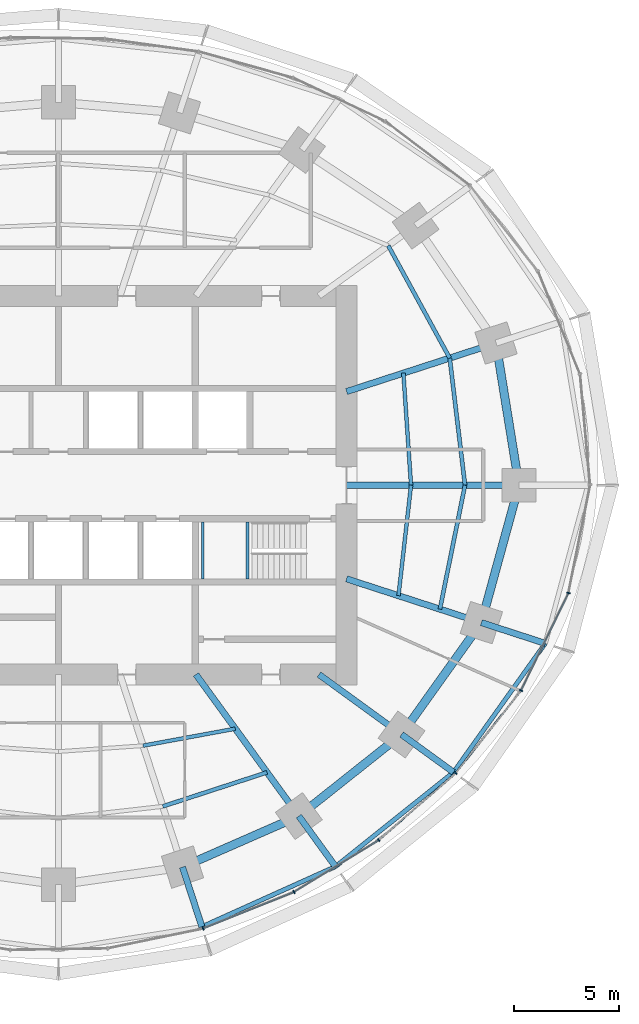
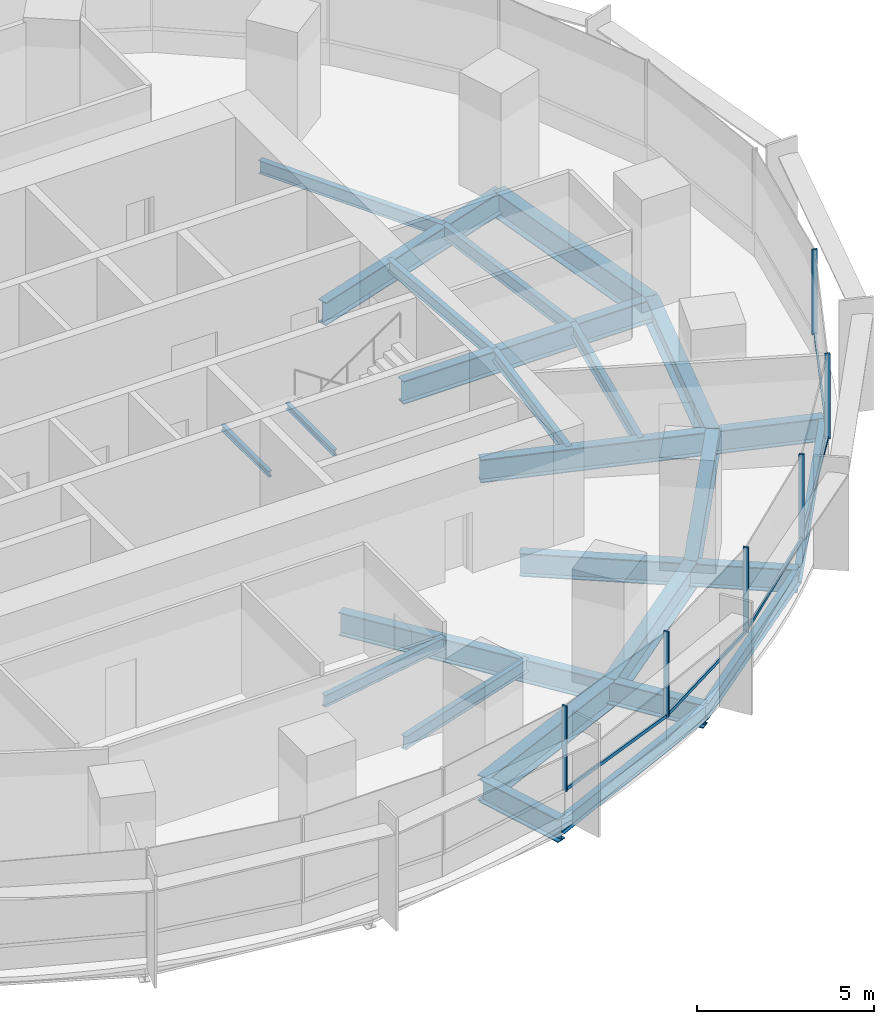
# One storey, part 5 of 14: 26 beams, 11 members, 2 elements without a shape of their own.
"""IFC4 building model written with IfcOpenShell, lengths in metres."""

from ifc_helpers import new_model, si_unit, direction, frame, origin, origin_2d, place, context, subcontext, project, spatial, rectangle, i_section, extrude, material, material_profile, profile_set, type_object, element, aggregate, save


model = new_model("IFC4")

# Units and contexts
model_context = context("Model", 3, precision=1e-05, world=origin(), true_north=direction((0.0, 1.0)))
body_context = subcontext(model_context, "Body", "Model", "MODEL_VIEW")
ifc_project = project(units=[si_unit("LENGTHUNIT", "METRE"), si_unit("AREAUNIT", "SQUARE_METRE"), si_unit("VOLUMEUNIT", "CUBIC_METRE"), si_unit("PLANEANGLEUNIT", "RADIAN"), si_unit("MASSUNIT", "GRAM", prefix="KILO")], contexts=[model_context])

# Site, building, storey
site_placement = place(None, origin())
site = spatial("IfcSite", under=ifc_project, at=site_placement, CompositionType="ELEMENT")
building_placement = place(site_placement, origin())
building = spatial("IfcBuilding", under=site, at=building_placement, Name="Marramba Exchange Tower", CompositionType="ELEMENT")
storey_placement = place(building_placement, frame((0.0, 0.0, 158.699951171875)))
storey = spatial("IfcBuildingStorey", under=building, at=storey_placement, Name="L38", CompositionType="ELEMENT", Elevation=158.699951171875)

# Beams
ifc_material_1 = material(Name="Steel AS/NZS 3679.2 grade 300", Category="steel")
ifc_material_profile_1 = material_profile(ifc_material_1, i_section(OverallWidth=0.300048828125, OverallDepth=0.800048828125, WebThickness=0.013916015625, FlangeThickness=0.031982421875, at=origin_2d()), Name="800WB192")
ifc_profile_set_1 = profile_set([ifc_material_profile_1], Name="Steel AS/NZS 3679.2 grade 300")
beam_type_1 = type_object("IfcBeamType", Name="Cantilever girder 800WB192", PredefinedType="BEAM", material=ifc_profile_set_1)
beam_1_placement = place(storey_placement, frame((5.899658203125, -18.156982421875, -0.56005859375), z_axis=(0.30903246226, -0.951051490336, 0.0), x_axis=(0.951051490336, 0.30903246226, 0.0)))
element("IfcBeam", 1, at=beam_1_placement, inside=storey, type_object=beam_type_1, Name="Cantilever girder L38 TC17", PredefinedType="BEAM", context=body_context, shape_type="SweptSolid", body=[
    extrude(i_section(OverallWidth=0.300048828125, OverallDepth=0.800048828125, WebThickness=0.013916015625, FlangeThickness=0.031982421875, at=origin_2d()), origin(), (0.0, 0.0, 1.0), 2.986328125),
])
beam_2_placement = place(storey_placement, frame((11.430419921875, -15.732666015625, -0.56005859375), z_axis=(0.587794986183, -0.8090099222, 0.0), x_axis=(0.8090099222, 0.587794986183, 0.0)))
element("IfcBeam", 2, at=beam_2_placement, inside=storey, type_object=beam_type_1, Name="Cantilever girder L38 TC18", PredefinedType="BEAM", context=body_context, shape_type="SweptSolid", body=[
    extrude(i_section(OverallWidth=0.300048828125, OverallDepth=0.800048828125, WebThickness=0.013916015625, FlangeThickness=0.031982421875, at=origin_2d()), origin(), (0.0, 0.0, 1.0), 2.9677734375),
])
beam_3_placement = place(storey_placement, frame((16.3154296875, -11.853759765625, -0.56005859375), z_axis=(0.809026231081, -0.587772538847, 0.0), x_axis=(0.587772538847, 0.809026231081, 0.0)))
element("IfcBeam", 3, at=beam_3_placement, inside=storey, type_object=beam_type_1, Name="Cantilever girder L38 TC19", PredefinedType="BEAM", context=body_context, shape_type="SweptSolid", body=[
    extrude(i_section(OverallWidth=0.300048828125, OverallDepth=0.800048828125, WebThickness=0.013916015625, FlangeThickness=0.031982421875, at=origin_2d()), origin(), (0.0, 0.0, 1.0), 3.055419921875),
])
beam_4_placement = place(storey_placement, frame((20.109375, -6.533935546875, -0.56005859375), z_axis=(0.951054839063, -0.309022156318, 0.0), x_axis=(0.309022156318, 0.951054839063, 0.0)))
element("IfcBeam", 4, at=beam_4_placement, inside=storey, type_object=beam_type_1, Name="Cantilever girder L38 TC20", PredefinedType="BEAM", context=body_context, shape_type="SweptSolid", body=[
    extrude(i_section(OverallWidth=0.300048828125, OverallDepth=0.800048828125, WebThickness=0.013916015625, FlangeThickness=0.031982421875, at=origin_2d()), origin(), (0.0, 0.0, 1.0), 3.19580078125),
])
ifc_material_2 = material(Name="Steel AS/NZS 3679.1 grade 300", Category="steel")
ifc_material_profile_2 = material_profile(ifc_material_2, i_section(OverallWidth=0.177978515625, OverallDepth=0.406005859375, WebThickness=0.0078125, FlangeThickness=0.0126953125, FilletRadius=0.011474609375, at=origin_2d()), Name="410UB59.7")
ifc_profile_set_2 = profile_set([ifc_material_profile_2], Name="Steel AS/NZS 3679.1 grade 300")
beam_type_2 = type_object("IfcBeamType", Name="Floor joist 410UB59.7", PredefinedType="JOIST", material=ifc_profile_set_2)
beam_5_placement = place(storey_placement, frame((16.7666015625, 0.0, -0.363037109375), z_axis=(-0.068096259546, 0.99767875563, 0.0), x_axis=(-0.99767875563, -0.068096259546, 0.0)))
element("IfcBeam", 5, at=beam_5_placement, inside=storey, type_object=beam_type_2, Name="Joist L38 bay 01 row 1", PredefinedType="JOIST", context=body_context, shape_type="SweptSolid", body=[
    extrude(i_section(OverallWidth=0.177978515625, OverallDepth=0.406005859375, WebThickness=0.0078125, FlangeThickness=0.0126953125, FilletRadius=0.011474609375, at=origin_2d()), origin(), (0.0, 0.0, 1.0), 5.342041015625),
])
beam_6_placement = place(storey_placement, frame((4.0244140625, -12.3857421875, -0.363037109375), z_axis=(0.983455754421, 0.181148500119, 0.0), x_axis=(-0.181148500119, 0.983455754421, 0.0)))
element("IfcBeam", 6, at=beam_6_placement, inside=storey, type_object=beam_type_2, Name="Joist L38 bay 17 row 1", PredefinedType="JOIST", context=body_context, shape_type="SweptSolid", body=[
    extrude(i_section(OverallWidth=0.177978515625, OverallDepth=0.406005859375, WebThickness=0.0078125, FlangeThickness=0.0126953125, FilletRadius=0.011474609375, at=origin_2d()), origin(), (0.0, 0.0, 1.0), 4.4609375),
])
beam_7_placement = place(storey_placement, frame((16.169677734375, -5.25390625, -0.363037109375), z_axis=(0.112888968594, 0.993607609054, 0.0), x_axis=(-0.993607609054, 0.112888968594, 0.0)))
element("IfcBeam", 7, at=beam_7_placement, inside=storey, type_object=beam_type_2, Name="Joist L38 bay 20 row 1", PredefinedType="JOIST", context=body_context, shape_type="SweptSolid", body=[
    extrude(i_section(OverallWidth=0.177978515625, OverallDepth=0.406005859375, WebThickness=0.0078125, FlangeThickness=0.0126953125, FilletRadius=0.011474609375, at=origin_2d()), origin(), (0.0, 0.0, 1.0), 5.28759765625),
])
ifc_material_profile_3 = material_profile(ifc_material_2, i_section(OverallWidth=0.18994140625, OverallDepth=0.4541015625, WebThickness=0.008544921875, FlangeThickness=0.0126953125, FilletRadius=0.011474609375, at=origin_2d()), Name="460UB67.1")
ifc_profile_set_3 = profile_set([ifc_material_profile_3], Name="Steel AS/NZS 3679.1 grade 300")
beam_type_3 = type_object("IfcBeamType", Name="Floor joist 460UB67.1", PredefinedType="JOIST", material=ifc_profile_set_3)
beam_8_placement = place(storey_placement, frame((19.333251953125, 0.0, -0.386962890625), z_axis=(-0.119523078538, 0.992831422597, 0.0), x_axis=(-0.992831422597, -0.119523078538, 0.0)))
element("IfcBeam", 8, at=beam_8_placement, inside=storey, type_object=beam_type_3, Name="Joist L38 bay 01 row 2", PredefinedType="JOIST", context=body_context, shape_type="SweptSolid", body=[
    extrude(i_section(OverallWidth=0.18994140625, OverallDepth=0.4541015625, WebThickness=0.008544921875, FlangeThickness=0.0126953125, FilletRadius=0.011474609375, at=origin_2d()), origin(), (0.0, 0.0, 1.0), 6.089111328125),
])
beam_9_placement = place(storey_placement, frame((18.60546875, 6.04541015625, -0.386962890625), z_axis=(-0.479584443791, 0.877495732909, 0.0), x_axis=(-0.877495732909, -0.479584443791, 0.0)))
element("IfcBeam", 9, at=beam_9_placement, inside=storey, type_object=beam_type_3, Name="Joist L38 bay 02 row 2", PredefinedType="JOIST", context=body_context, shape_type="SweptSolid", body=[
    extrude(i_section(OverallWidth=0.18994140625, OverallDepth=0.4541015625, WebThickness=0.008544921875, FlangeThickness=0.0126953125, FilletRadius=0.011474609375, at=origin_2d()), origin(), (0.0, 0.0, 1.0), 6.094970703125),
])
beam_10_placement = place(storey_placement, frame((4.9619140625, -15.271484375, -0.386962890625), z_axis=(0.950764024931, 0.309915744834, 0.0), x_axis=(-0.309915744834, 0.950764024931, 0.0)))
element("IfcBeam", 10, at=beam_10_placement, inside=storey, type_object=beam_type_3, Name="Joist L38 bay 17 row 2", PredefinedType="JOIST", context=body_context, shape_type="SweptSolid", body=[
    extrude(i_section(OverallWidth=0.18994140625, OverallDepth=0.4541015625, WebThickness=0.008544921875, FlangeThickness=0.0126953125, FilletRadius=0.011474609375, at=origin_2d()), origin(), (0.0, 0.0, 1.0), 5.2158203125),
])
beam_11_placement = place(storey_placement, frame((18.1396484375, -5.893798828125, -0.386962890625), z_axis=(0.198489047047, 0.980103105904, 0.0), x_axis=(-0.980103105904, 0.198489047047, 0.0)))
element("IfcBeam", 11, at=beam_11_placement, inside=storey, type_object=beam_type_3, Name="Joist L38 bay 20 row 2", PredefinedType="JOIST", context=body_context, shape_type="SweptSolid", body=[
    extrude(i_section(OverallWidth=0.18994140625, OverallDepth=0.4541015625, WebThickness=0.008544921875, FlangeThickness=0.0126953125, FilletRadius=0.011474609375, at=origin_2d()), origin(), (0.0, 0.0, 1.0), 6.013427734375),
])

# Curtain wall, member
ifc_material_3 = material(Name="Aluminium framing, bronze anodised", Category="aluminium")
curtain_wall_type = type_object("IfcCurtainWallType", Name="Office ribbon curtain wall", PredefinedType="USERDEFINED", material=ifc_material_3)
curtain_wall_1_placement = place(storey_placement, origin())
curtain_wall_1 = element("IfcCurtainWall", 12, at=curtain_wall_1_placement, inside=storey, type_object=curtain_wall_type, Name="Curtain wall CW4 L38 F21-F25", ObjectType="RIBBON CURTAIN WALL", PredefinedType="USERDEFINED")
ifc_material_4 = material(Name="Aluminium mullion, bronze anodised", Category="aluminium")
ifc_material_profile_4 = material_profile(ifc_material_4, rectangle(XDim=0.159912109375, YDim=0.06005859375, at=origin_2d()), Name="CW4 mullion 60x160")
ifc_profile_set_4 = profile_set([ifc_material_profile_4], Name="Aluminium mullion, bronze anodised")
member_type_1 = type_object("IfcMemberType", Name="Office ribbon curtain wall mullion", PredefinedType="MULLION", material=ifc_profile_set_4)
member_1_placement = place(storey_placement, frame((6.881103515625, -21.0810546875, 0.800048828125), z_axis=(0.0, 0.0, 1.0), x_axis=(-0.372209067082, 0.928148916059, 0.0)))
member_1 = element("IfcMember", 13, at=member_1_placement, type_object=member_type_1, Name="CW4 mullion 1", PredefinedType="MULLION", context=body_context, shape_type="SweptSolid", body=[
    extrude(rectangle(XDim=0.159912109375, YDim=0.06005859375, at=origin_2d()), origin(), (0.0, 0.0, 1.0), 2.93994140625),
])

# Curtain wall, members
curtain_wall_2_placement = place(storey_placement, origin())
curtain_wall_2 = element("IfcCurtainWall", 14, at=curtain_wall_2_placement, inside=storey, type_object=curtain_wall_type, Name="Curtain wall CW4 L38 F26-F30", ObjectType="RIBBON CURTAIN WALL", PredefinedType="USERDEFINED")
member_2_placement = place(storey_placement, frame((11.2021484375, -19.3427734375, 0.800048828125), z_axis=(0.0, 0.0, 1.0), x_axis=(-0.521732535664, 0.853109114492, 0.0)))
member_2 = element("IfcMember", 15, at=member_2_placement, type_object=member_type_1, Name="CW4 mullion 1", PredefinedType="MULLION", context=body_context, shape_type="SweptSolid", body=[
    extrude(rectangle(XDim=0.159912109375, YDim=0.06005859375, at=origin_2d()), origin(), (0.0, 0.0, 1.0), 2.93994140625),
])
member_3_placement = place(storey_placement, frame((15.232177734375, -16.872314453125, 0.800048828125), z_axis=(0.0, 0.0, 1.0), x_axis=(-0.656431647438, 0.754385506384, 0.0)))
member_3 = element("IfcMember", 16, at=member_3_placement, type_object=member_type_1, Name="CW4 mullion 1", PredefinedType="MULLION", context=body_context, shape_type="SweptSolid", body=[
    extrude(rectangle(XDim=0.159912109375, YDim=0.06005859375, at=origin_2d()), origin(), (0.0, 0.0, 1.0), 2.93994140625),
])
member_4_placement = place(storey_placement, frame((18.886962890625, -13.68505859375, 0.800048828125), z_axis=(0.0, 0.0, 1.0), x_axis=(-0.783170139469, 0.621807472329, 0.0)))
member_4 = element("IfcMember", 17, at=member_4_placement, type_object=member_type_1, Name="CW4 mullion 1", PredefinedType="MULLION", context=body_context, shape_type="SweptSolid", body=[
    extrude(rectangle(XDim=0.159912109375, YDim=0.06005859375, at=origin_2d()), origin(), (0.0, 0.0, 1.0), 2.93994140625),
])
member_5_placement = place(storey_placement, frame((21.994873046875, -9.760009765625, 0.800048828125), z_axis=(0.0, 0.0, 1.0), x_axis=(-0.89844486976, 0.439086342308, 0.0)))
member_5 = element("IfcMember", 18, at=member_5_placement, type_object=member_type_1, Name="CW4 mullion 1", PredefinedType="MULLION", context=body_context, shape_type="SweptSolid", body=[
    extrude(rectangle(XDim=0.159912109375, YDim=0.06005859375, at=origin_2d()), origin(), (0.0, 0.0, 1.0), 2.93994140625),
])
member_6_placement = place(storey_placement, frame((24.252197265625, -5.124267578125, 0.800048828125), z_axis=(0.0, 0.0, 1.0), x_axis=(-0.980393739376, 0.197048511267, 0.0)))
member_6 = element("IfcMember", 19, at=member_6_placement, type_object=member_type_1, Name="CW4 mullion 1", PredefinedType="MULLION", context=body_context, shape_type="SweptSolid", body=[
    extrude(rectangle(XDim=0.159912109375, YDim=0.06005859375, at=origin_2d()), origin(), (0.0, 0.0, 1.0), 2.93994140625),
])

# Member
ifc_material_5 = material(Name="Aluminium transom, bronze anodised", Category="aluminium")
ifc_material_profile_5 = material_profile(ifc_material_5, rectangle(XDim=0.06005859375, YDim=0.1201171875, at=origin_2d()), Name="CW4 transom 60x120")
ifc_profile_set_5 = profile_set([ifc_material_profile_5], Name="Aluminium transom, bronze anodised")
member_type_2 = type_object("IfcMemberType", Name="Office ribbon curtain wall transom", PredefinedType="USERDEFINED", material=ifc_profile_set_5)
member_7_placement = place(storey_placement, frame((6.908935546875, -21.06982421875, 0.830078125), z_axis=(0.928146753748, 0.372214459026, 0.0), x_axis=(-0.372214459026, 0.928146753748, 0.0)))
member_7 = element("IfcMember", 20, at=member_7_placement, type_object=member_type_2, Name="CW4 sill transom", ObjectType="TRANSOM", PredefinedType="USERDEFINED", context=body_context, shape_type="SweptSolid", body=[
    extrude(rectangle(XDim=0.06005859375, YDim=0.1201171875, at=origin_2d()), origin(), (0.0, 0.0, 1.0), 4.597900390625),
])

aggregate(curtain_wall_1, [member_1, member_7])

member_8_placement = place(storey_placement, frame((11.227783203125, -19.3271484375, 0.830078125), z_axis=(0.853124051379, 0.52170811088, 0.0), x_axis=(-0.52170811088, 0.853124051379, 0.0)))
member_8 = element("IfcMember", 21, at=member_8_placement, type_object=member_type_2, Name="CW4 sill transom", ObjectType="TRANSOM", PredefinedType="USERDEFINED", context=body_context, shape_type="SweptSolid", body=[
    extrude(rectangle(XDim=0.06005859375, YDim=0.1201171875, at=origin_2d()), origin(), (0.0, 0.0, 1.0), 4.66748046875),
])

member_9_placement = place(storey_placement, frame((15.2548828125, -16.8525390625, 0.830078125), z_axis=(0.754392594189, 0.65642350189, 0.0), x_axis=(-0.65642350189, 0.754392594189, 0.0)))
member_9 = element("IfcMember", 22, at=member_9_placement, type_object=member_type_2, Name="CW4 sill transom", ObjectType="TRANSOM", PredefinedType="USERDEFINED", context=body_context, shape_type="SweptSolid", body=[
    extrude(rectangle(XDim=0.06005859375, YDim=0.1201171875, at=origin_2d()), origin(), (0.0, 0.0, 1.0), 4.78955078125),
])

member_10_placement = place(storey_placement, frame((18.905517578125, -13.66162109375, 0.830078125), z_axis=(0.621777997945, 0.783193540111, 0.0), x_axis=(-0.783193540111, 0.621777997945, 0.0)))
member_10 = element("IfcMember", 23, at=member_10_placement, type_object=member_type_2, Name="CW4 sill transom", ObjectType="TRANSOM", PredefinedType="USERDEFINED", context=body_context, shape_type="SweptSolid", body=[
    extrude(rectangle(XDim=0.06005859375, YDim=0.1201171875, at=origin_2d()), origin(), (0.0, 0.0, 1.0), 4.947265625),
])

member_11_placement = place(storey_placement, frame((22.008056640625, -9.73291015625, 0.830078125), z_axis=(0.439090714557, 0.898442732949, 0.0), x_axis=(-0.898442732949, 0.439090714557, 0.0)))
member_11 = element("IfcMember", 24, at=member_11_placement, type_object=member_type_2, Name="CW4 sill transom", ObjectType="TRANSOM", PredefinedType="USERDEFINED", context=body_context, shape_type="SweptSolid", body=[
    extrude(rectangle(XDim=0.06005859375, YDim=0.1201171875, at=origin_2d()), origin(), (0.0, 0.0, 1.0), 5.096923828125),
])

aggregate(curtain_wall_2, [member_2, member_8, member_3, member_9, member_4, member_10, member_5, member_11, member_6])

# Beams
ifc_material_profile_6 = material_profile(ifc_material_1, i_section(OverallWidth=0.300048828125, OverallDepth=0.800048828125, WebThickness=0.013916015625, FlangeThickness=0.031982421875, at=origin_2d()), Name="800WB192")
ifc_profile_set_6 = profile_set([ifc_material_profile_6], Name="Steel AS/NZS 3679.2 grade 300")
beam_type_4 = type_object("IfcBeamType", Name="Radial girder 800WB192", PredefinedType="BEAM", material=ifc_profile_set_6)
beam_12_placement = place(storey_placement, frame((13.699951171875, 0.0, -0.56005859375), z_axis=(1.0, 0.0, 0.0), x_axis=(0.0, 1.0, 0.0)))
element("IfcBeam", 25, at=beam_12_placement, inside=storey, type_object=beam_type_4, Name="Radial girder L38 TC01", PredefinedType="BEAM", context=body_context, shape_type="SweptSolid", body=[
    extrude(i_section(OverallWidth=0.300048828125, OverallDepth=0.800048828125, WebThickness=0.013916015625, FlangeThickness=0.031982421875, at=origin_2d()), origin(), (0.0, 0.0, 1.0), 8.199951171875),
])
beam_13_placement = place(storey_placement, frame((13.699951171875, 4.451416015625, -0.56005859375), z_axis=(0.951059990189, 0.309006302624, 0.0), x_axis=(-0.309006302624, 0.951059990189, 0.0)))
element("IfcBeam", 26, at=beam_13_placement, inside=storey, type_object=beam_type_4, Name="Radial girder L38 TC02", PredefinedType="BEAM", context=body_context, shape_type="SweptSolid", body=[
    extrude(i_section(OverallWidth=0.300048828125, OverallDepth=0.800048828125, WebThickness=0.013916015625, FlangeThickness=0.031982421875, at=origin_2d()), origin(), (0.0, 0.0, 1.0), 7.47412109375),
])
beam_14_placement = place(storey_placement, frame((6.538818359375, -9.0, -0.56005859375), z_axis=(0.587787877172, -0.809015087282, 0.0), x_axis=(0.809015087282, 0.587787877172, 0.0)))
element("IfcBeam", 27, at=beam_14_placement, inside=storey, type_object=beam_type_4, Name="Radial girder L38 TC18", PredefinedType="BEAM", context=body_context, shape_type="SweptSolid", body=[
    extrude(i_section(OverallWidth=0.300048828125, OverallDepth=0.800048828125, WebThickness=0.013916015625, FlangeThickness=0.031982421875, at=origin_2d()), origin(), (0.0, 0.0, 1.0), 8.322021484375),
])
beam_15_placement = place(storey_placement, frame((12.387451171875, -9.0, -0.56005859375), z_axis=(0.809025189606, -0.58777397236, 0.0), x_axis=(0.58777397236, 0.809025189606, 0.0)))
element("IfcBeam", 28, at=beam_15_placement, inside=storey, type_object=beam_type_4, Name="Radial girder L38 TC19", PredefinedType="BEAM", context=body_context, shape_type="SweptSolid", body=[
    extrude(i_section(OverallWidth=0.300048828125, OverallDepth=0.800048828125, WebThickness=0.013916015625, FlangeThickness=0.031982421875, at=origin_2d()), origin(), (0.0, 0.0, 1.0), 4.855224609375),
])
beam_16_placement = place(storey_placement, frame((13.699951171875, -4.451416015625, -0.56005859375), z_axis=(0.951057759669, -0.309013167637, 0.0), x_axis=(0.309013167637, 0.951057759669, 0.0)))
element("IfcBeam", 29, at=beam_16_placement, inside=storey, type_object=beam_type_4, Name="Radial girder L38 TC20", PredefinedType="BEAM", context=body_context, shape_type="SweptSolid", body=[
    extrude(i_section(OverallWidth=0.300048828125, OverallDepth=0.800048828125, WebThickness=0.013916015625, FlangeThickness=0.031982421875, at=origin_2d()), origin(), (0.0, 0.0, 1.0), 6.7392578125),
])
ifc_material_profile_7 = material_profile(ifc_material_1, i_section(OverallWidth=0.39990234375, OverallDepth=0.89990234375, WebThickness=0.01611328125, FlangeThickness=0.031982421875, at=origin_2d()), Name="900WB282")
ifc_profile_set_7 = profile_set([ifc_material_profile_7], Name="Steel AS/NZS 3679.2 grade 300")
beam_type_5 = type_object("IfcBeamType", Name="Ring beam 900WB282", PredefinedType="SPANDREL", material=ifc_profile_set_7)
beam_17_placement = place(storey_placement, frame((21.89990234375, 0.0, -0.60986328125), z_axis=(-0.159384865399, 0.987216523708, 0.0), x_axis=(-0.987216523708, -0.159384865399, 0.0)))
element("IfcBeam", 30, at=beam_17_placement, inside=storey, type_object=beam_type_5, Name="Ring beam L38 TC01-TC02", PredefinedType="SPANDREL", context=body_context, shape_type="SweptSolid", body=[
    extrude(i_section(OverallWidth=0.39990234375, OverallDepth=0.89990234375, WebThickness=0.01611328125, FlangeThickness=0.031982421875, at=origin_2d()), origin(), (0.0, 0.0, 1.0), 6.8486328125),
])
beam_18_placement = place(storey_placement, frame((5.899658203125, -18.156982421875, -0.60986328125), z_axis=(0.915876892158, 0.4014592363, 0.0), x_axis=(-0.4014592363, 0.915876892158, 0.0)))
element("IfcBeam", 31, at=beam_18_placement, inside=storey, type_object=beam_type_5, Name="Ring beam L38 TC17-TC18", PredefinedType="SPANDREL", context=body_context, shape_type="SweptSolid", body=[
    extrude(i_section(OverallWidth=0.39990234375, OverallDepth=0.89990234375, WebThickness=0.01611328125, FlangeThickness=0.031982421875, at=origin_2d()), origin(), (0.0, 0.0, 1.0), 6.038818359375),
])
beam_19_placement = place(storey_placement, frame((11.430419921875, -15.732666015625, -0.60986328125), z_axis=(0.783139438128, 0.621846138887, 0.0), x_axis=(-0.621846138887, 0.783139438128, 0.0)))
element("IfcBeam", 32, at=beam_19_placement, inside=storey, type_object=beam_type_5, Name="Ring beam L38 TC18-TC19", PredefinedType="SPANDREL", context=body_context, shape_type="SweptSolid", body=[
    extrude(i_section(OverallWidth=0.39990234375, OverallDepth=0.89990234375, WebThickness=0.01611328125, FlangeThickness=0.031982421875, at=origin_2d()), origin(), (0.0, 0.0, 1.0), 6.23779296875),
])
beam_20_placement = place(storey_placement, frame((16.3154296875, -11.853759765625, -0.60986328125), z_axis=(0.580637181111, 0.814162430914, 0.0), x_axis=(-0.814162430914, 0.580637181111, 0.0)))
element("IfcBeam", 33, at=beam_20_placement, inside=storey, type_object=beam_type_5, Name="Ring beam L38 TC19-TC20", PredefinedType="SPANDREL", context=body_context, shape_type="SweptSolid", body=[
    extrude(i_section(OverallWidth=0.39990234375, OverallDepth=0.89990234375, WebThickness=0.01611328125, FlangeThickness=0.031982421875, at=origin_2d()), origin(), (0.0, 0.0, 1.0), 6.5341796875),
])
beam_21_placement = place(storey_placement, frame((20.109375, -6.533935546875, -0.60986328125), z_axis=(0.264291166956, 0.964442937176, 0.0), x_axis=(-0.964442937176, 0.264291166956, 0.0)))
element("IfcBeam", 34, at=beam_21_placement, inside=storey, type_object=beam_type_5, Name="Ring beam L38 TC20-TC01", PredefinedType="SPANDREL", context=body_context, shape_type="SweptSolid", body=[
    extrude(i_section(OverallWidth=0.39990234375, OverallDepth=0.89990234375, WebThickness=0.01611328125, FlangeThickness=0.031982421875, at=origin_2d()), origin(), (0.0, 0.0, 1.0), 6.77490234375),
])
ifc_material_profile_8 = material_profile(ifc_material_2, i_section(OverallWidth=0.208984375, OverallDepth=0.528076171875, WebThickness=0.009521484375, FlangeThickness=0.01318359375, FilletRadius=0.013916015625, at=origin_2d()), Name="530UB82.0")
ifc_profile_set_8 = profile_set([ifc_material_profile_8], Name="Steel AS/NZS 3679.1 grade 300")
beam_type_6 = type_object("IfcBeamType", Name="Slab edge beam 530UB82.0", PredefinedType="SPANDREL", material=ifc_profile_set_8)
beam_22_placement = place(storey_placement, frame((6.822509765625, -20.9970703125, -0.424072265625), z_axis=(0.911653171624, 0.410960453898, 0.0), x_axis=(-0.410960453898, 0.911653171624, 0.0)))
element("IfcBeam", 35, at=beam_22_placement, inside=storey, type_object=beam_type_6, Name="Slab edge beam L38 TC17-TC18", PredefinedType="SPANDREL", context=body_context, shape_type="SweptSolid", body=[
    extrude(i_section(OverallWidth=0.208984375, OverallDepth=0.528076171875, WebThickness=0.009521484375, FlangeThickness=0.01318359375, FilletRadius=0.013916015625, at=origin_2d()), origin(), (0.0, 0.0, 1.0), 6.9677734375),
])
beam_23_placement = place(storey_placement, frame((13.1748046875, -18.133544921875, -0.424072265625), z_axis=(0.781286404457, 0.624172695822, 0.0), x_axis=(-0.624172695822, 0.781286404457, 0.0)))
element("IfcBeam", 36, at=beam_23_placement, inside=storey, type_object=beam_type_6, Name="Slab edge beam L38 TC18-TC19", PredefinedType="SPANDREL", context=body_context, shape_type="SweptSolid", body=[
    extrude(i_section(OverallWidth=0.208984375, OverallDepth=0.528076171875, WebThickness=0.009521484375, FlangeThickness=0.01318359375, FilletRadius=0.013916015625, at=origin_2d()), origin(), (0.0, 0.0, 1.0), 7.183837890625),
])
beam_24_placement = place(storey_placement, frame((18.787353515625, -13.649658203125, -0.424072265625), z_axis=(0.579834168245, 0.814734519543, 0.0), x_axis=(-0.814734519543, 0.579834168245, 0.0)))
element("IfcBeam", 37, at=beam_24_placement, inside=storey, type_object=beam_type_6, Name="Slab edge beam L38 TC19-TC20", PredefinedType="SPANDREL", context=body_context, shape_type="SweptSolid", body=[
    extrude(i_section(OverallWidth=0.208984375, OverallDepth=0.528076171875, WebThickness=0.009521484375, FlangeThickness=0.01318359375, FilletRadius=0.013916015625, at=origin_2d()), origin(), (0.0, 0.0, 1.0), 7.521728515625),
])
ifc_material_profile_9 = material_profile(ifc_material_2, i_section(OverallWidth=0.133056640625, OverallDepth=0.202880859375, WebThickness=0.005859375, FlangeThickness=0.0078125, FilletRadius=0.0087890625, at=origin_2d()), Name="200UB25.4")
ifc_profile_set_9 = profile_set([ifc_material_profile_9], Name="Steel AS/NZS 3679.1 grade 300")
beam_type_7 = type_object("IfcBeamType", Name="Stair landing beam 200UB25.4", PredefinedType="BEAM", material=ifc_profile_set_9)
for number, where, z_axis, x_axis, name in (
    (38, (6.866455078125, -4.449951171875, 1.6484375), (0.0, 1.0, 0.0), (-1.0, 0.0, 0.0), "Stair landing beam SLB1 ST2 L38 1"),
    (39, (8.9833984375, -4.449951171875, 1.6484375), (0.0, 1.0, 0.0), (-1.0, 0.0, 0.0), "Stair landing beam SLB1 ST2 L38 2"),
):
    element("IfcBeam", number, at=place(storey_placement, frame(where, z_axis=z_axis, x_axis=x_axis)), inside=storey, type_object=beam_type_7, Name=name, PredefinedType="BEAM", context=body_context, shape_type="SweptSolid", body=[
        extrude(i_section(OverallWidth=0.133056640625, OverallDepth=0.202880859375, WebThickness=0.005859375, FlangeThickness=0.0078125, FilletRadius=0.0087890625, at=origin_2d()), origin(), (0.0, 0.0, 1.0), 2.699951171875),
    ])

save(model, "model.ifc")
